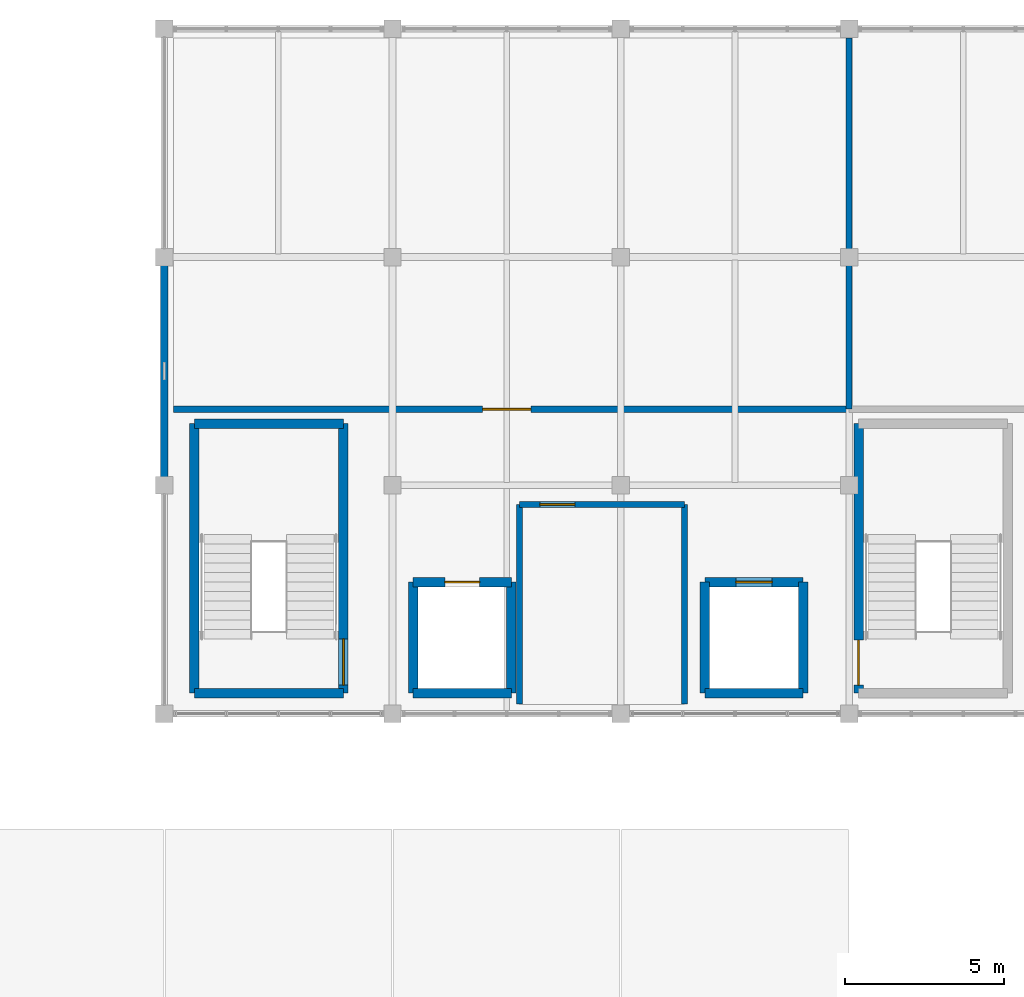
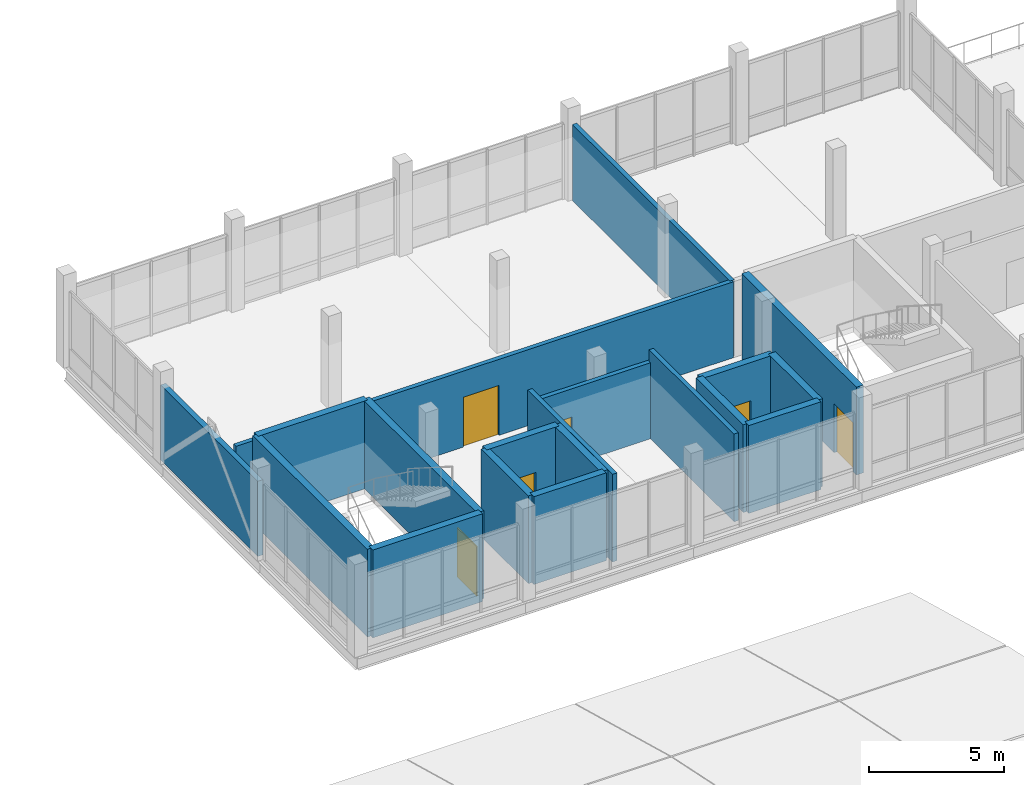
# One storey, part 39 of 47: 19 walls, 6 doors, 6 openings.
"""IFC4 building model written with IfcOpenShell, lengths in metres."""

from ifc_helpers import new_model, si_unit, direction, frame, frame_2d, origin, place, context, subcontext, project, spatial, rectangle, extrude, material, layer, layer_set, type_object, element, fill, save


model = new_model("IFC4")

# Units and contexts
model_context = context("Model", 3, precision=1e-05, world=origin(), true_north=direction((0.0, 1.0)))
body_context = subcontext(model_context, "Body", "Model", "MODEL_VIEW")
ifc_project = project(units=[si_unit("LENGTHUNIT", "METRE"), si_unit("AREAUNIT", "SQUARE_METRE"), si_unit("VOLUMEUNIT", "CUBIC_METRE"), si_unit("PLANEANGLEUNIT", "RADIAN"), si_unit("MASSUNIT", "GRAM", prefix="KILO")], contexts=[model_context])

# Site, building, storey
site_placement = place(None, origin())
site = spatial("IfcSite", under=ifc_project, at=site_placement, CompositionType="ELEMENT")
building_placement = place(site_placement, origin())
building = spatial("IfcBuilding", under=site, at=building_placement, Name="Yarey Park Central Fire Station", CompositionType="ELEMENT")
storey_placement = place(building_placement, frame((0.0, 0.0, 18.0)))
storey = spatial("IfcBuildingStorey", under=building, at=storey_placement, Name="L05", CompositionType="ELEMENT", Elevation=18.0)

# Walls
ifc_material_1 = material(Name="Concrete C35/45", Category="concrete")
ifc_layer_1 = layer(ifc_material_1, 0.22998046875)
ifc_layer_set_1 = layer_set([ifc_layer_1], Name="Concrete C35/45")
wall_type_1 = type_object("IfcWallType", Name="ENV_WALL_INS230", PredefinedType="STANDARD", material=ifc_layer_set_1)
wall_1_placement = place(storey_placement, frame((115.199951171875, 108.0, 0.0), z_axis=(0.0, 0.0, 1.0), x_axis=(0.0, -1.0, 0.0)))
element("IfcWall", 1, at=wall_1_placement, inside=storey, type_object=wall_type_1, Name="EW_L05_V4_WB", PredefinedType="STANDARD", context=body_context, shape_type="SweptSolid", body=[
    extrude(rectangle(XDim=7.199951171875, YDim=0.22998046875, at=frame_2d((3.60009765625, 0.0))), origin(), (0.0, 0.0, 1.0), 3.39990234375),
])
ifc_material_2 = material(Name="Concrete C40/50", Category="concrete")
ifc_layer_2 = layer(ifc_material_2, 0.27001953125)
ifc_layer_set_2 = layer_set([ifc_layer_2], Name="Concrete C40/50")
wall_type_2 = type_object("IfcWallType", Name="INT_CORE_RC270", PredefinedType="SHEAR", material=ifc_layer_set_2)
wall_2_placement = place(storey_placement, frame((123.050048828125, 94.25, 0.0), z_axis=(0.0, 0.0, 1.0), x_axis=(1.0, 0.0, 0.0)))
element("IfcWall", 2, at=wall_2_placement, inside=storey, type_object=wall_type_2, Name="LWALL_C1_L05_S", PredefinedType="SHEAR", context=body_context, shape_type="SweptSolid", body=[
    extrude(rectangle(XDim=3.099853515625, YDim=0.300048828125, at=frame_2d((1.5498046875, 0.0))), origin(), (0.0, 0.0, 1.0), 3.97509765625),
])

# Wall, opening, door
wall_3_placement = place(storey_placement, frame((126.14990234375, 97.75, 0.0), z_axis=(0.0, 0.0, 1.0), x_axis=(-1.0, 0.0, 0.0)))
wall_3 = element("IfcWall", 3, at=wall_3_placement, inside=storey, type_object=wall_type_2, Name="LWALL_C1_L05_N", PredefinedType="SHEAR", context=body_context, shape_type="SweptSolid", body=[
    extrude(rectangle(XDim=3.099853515625, YDim=0.300048828125, at=frame_2d((1.5498046875, 0.0))), origin(), (0.0, 0.0, 1.0), 3.97509765625),
])
opening_1_placement = place(wall_3_placement, frame((1.0, 0.0, 0.0)))
opening_1 = element("IfcOpeningElement", 4, at=opening_1_placement, cuts=wall_3, Name="Opening LD-11", PredefinedType="OPENING", context=body_context, shape_type="SweptSolid", body=[
    extrude(rectangle(XDim=1.10009765625, YDim=2.219970703125, at=frame_2d((0.550048828125, 1.10986328125))), frame((0.0, 0.159912109375, 0.0), z_axis=(0.0, -1.0, 0.0), x_axis=(1.0, 0.0, 0.0)), (0.0, 0.0, 1.0), 0.320068359375),
])
ifc_material_3 = material(Name="Stainless Steel AISI 316L", Category="steel")
door_type_1 = type_object("IfcDoorType", Name="DR_LD_1100", OperationType="NOTDEFINED", PredefinedType="DOOR", material=ifc_material_3)
door_1_placement = place(opening_1_placement, origin())
door_1 = element("IfcDoor", 5, at=door_1_placement, inside=storey, type_object=door_type_1, Name="Lift Landing Door LF-1-L05", OperationType="SLIDING_TO_LEFT", OverallHeight=2.219970703125, OverallWidth=1.10009765625, PredefinedType="DOOR", context=body_context, shape_type="SweptSolid", body=[
    extrude(rectangle(XDim=1.10009765625, YDim=2.219970703125, at=frame_2d((0.550048828125, 1.10986328125))), frame((0.0, 0.02490234375, 0.0), z_axis=(0.0, -1.0, 0.0), x_axis=(1.0, 0.0, 0.0)), (0.0, 0.0, 1.0), 0.050048828125),
])
fill(opening_1, door_1)

# Walls
for number, where, z_axis, x_axis, name in (
    (6, (123.050048828125, 97.75, 0.0), (0.0, 0.0, 1.0), (0.0, -1.0, 0.0), "LWALL_C1_L05_W"),
    (7, (126.14990234375, 94.25, 0.0), (0.0, 0.0, 1.0), (0.0, 1.0, 0.0), "LWALL_C1_L05_E"),
):
    element("IfcWall", number, at=place(storey_placement, frame(where, z_axis=z_axis, x_axis=x_axis)), inside=storey, type_object=wall_type_2, Name=name, PredefinedType="SHEAR", context=body_context, shape_type="SweptSolid", body=[
        extrude(rectangle(XDim=3.5, YDim=0.300048828125, at=frame_2d((1.75, 0.0))), origin(), (0.0, 0.0, 1.0), 3.97509765625),
    ])
wall_4_placement = place(storey_placement, frame((132.25, 94.25, 0.0), z_axis=(0.0, 0.0, 1.0), x_axis=(1.0, 0.0, 0.0)))
element("IfcWall", 8, at=wall_4_placement, inside=storey, type_object=wall_type_2, Name="LWALL_C2_L05_S", PredefinedType="SHEAR", context=body_context, shape_type="SweptSolid", body=[
    extrude(rectangle(XDim=3.10009765625, YDim=0.300048828125, at=frame_2d((1.550048828125, 0.0))), origin(), (0.0, 0.0, 1.0), 3.97509765625),
])

# Wall, opening, door
wall_5_placement = place(storey_placement, frame((135.35009765625, 97.75, 0.0), z_axis=(0.0, 0.0, 1.0), x_axis=(-1.0, 0.0, 0.0)))
wall_5 = element("IfcWall", 9, at=wall_5_placement, inside=storey, type_object=wall_type_2, Name="LWALL_C2_L05_N", PredefinedType="SHEAR", context=body_context, shape_type="SweptSolid", body=[
    extrude(rectangle(XDim=3.10009765625, YDim=0.300048828125, at=frame_2d((1.550048828125, 0.0))), origin(), (0.0, 0.0, 1.0), 3.97509765625),
])
opening_2_placement = place(wall_5_placement, frame((0.97998046875, 0.0, 0.0)))
opening_2 = element("IfcOpeningElement", 10, at=opening_2_placement, cuts=wall_5, Name="Opening LD-11B", PredefinedType="OPENING", context=body_context, shape_type="SweptSolid", body=[
    extrude(rectangle(XDim=1.139892578125, YDim=2.239990234375, at=frame_2d((0.56982421875, 1.1201171875))), frame((0.0, 0.159912109375, 0.0), z_axis=(0.0, -1.0, 0.0), x_axis=(1.0, 0.0, 0.0)), (0.0, 0.0, 1.0), 0.320068359375),
])
door_type_2 = type_object("IfcDoorType", Name="DR_LD_1140", OperationType="NOTDEFINED", PredefinedType="DOOR", material=ifc_material_3)
door_2_placement = place(opening_2_placement, origin())
door_2 = element("IfcDoor", 11, at=door_2_placement, inside=storey, type_object=door_type_2, Name="Lift Landing Door LF-2-L05", OperationType="SLIDING_TO_LEFT", OverallHeight=2.239990234375, OverallWidth=1.139892578125, PredefinedType="DOOR", context=body_context, shape_type="SweptSolid", body=[
    extrude(rectangle(XDim=1.139892578125, YDim=2.239990234375, at=frame_2d((0.56982421875, 1.1201171875))), frame((0.0, 0.02490234375, 0.0), z_axis=(0.0, -1.0, 0.0), x_axis=(1.0, 0.0, 0.0)), (0.0, 0.0, 1.0), 0.050048828125),
])
fill(opening_2, door_2)

# Walls
for number, where, z_axis, x_axis, name in (
    (12, (132.25, 97.75, 0.0), (0.0, 0.0, 1.0), (0.0, -1.0, 0.0), "LWALL_C2_L05_W"),
    (13, (135.35009765625, 94.25, 0.0), (0.0, 0.0, 1.0), (0.0, 1.0, 0.0), "LWALL_C2_L05_E"),
):
    element("IfcWall", number, at=place(storey_placement, frame(where, z_axis=z_axis, x_axis=x_axis)), inside=storey, type_object=wall_type_2, Name=name, PredefinedType="SHEAR", context=body_context, shape_type="SweptSolid", body=[
        extrude(rectangle(XDim=3.5, YDim=0.300048828125, at=frame_2d((1.75, 0.0))), origin(), (0.0, 0.0, 1.0), 3.97509765625),
    ])
ifc_layer_3 = layer(ifc_material_2, 0.300048828125)
ifc_layer_set_3 = layer_set([ifc_layer_3], Name="Concrete C40/50")
wall_type_3 = type_object("IfcWallType", Name="INT_CORE_RC300", PredefinedType="SHEAR", material=ifc_layer_set_3)
for number, where, z_axis, x_axis, name in (
    (14, (116.14990234375, 94.25, 0.0), (0.0, 0.0, 1.0), (1.0, 0.0, 0.0), "CWALL_C1_L05_S"),
    (15, (120.85009765625, 102.75, 0.0), (0.0, 0.0, 1.0), (-1.0, 0.0, 0.0), "CWALL_C1_L05_N"),
):
    element("IfcWall", number, at=place(storey_placement, frame(where, z_axis=z_axis, x_axis=x_axis)), inside=storey, type_object=wall_type_3, Name=name, PredefinedType="SHEAR", context=body_context, shape_type="SweptSolid", body=[
        extrude(rectangle(XDim=4.7001953125, YDim=0.300048828125, at=frame_2d((2.35009765625, 0.0))), origin(), (0.0, 0.0, 1.0), 3.97509765625),
    ])
wall_6_placement = place(storey_placement, frame((116.14990234375, 102.75, 0.0), z_axis=(0.0, 0.0, 1.0), x_axis=(0.0, -1.0, 0.0)))
element("IfcWall", 16, at=wall_6_placement, inside=storey, type_object=wall_type_3, Name="CWALL_C1_L05_W", PredefinedType="SHEAR", context=body_context, shape_type="SweptSolid", body=[
    extrude(rectangle(XDim=8.5, YDim=0.300048828125, at=frame_2d((4.25, 0.0))), origin(), (0.0, 0.0, 1.0), 3.97509765625),
])

# Wall, opening, door
wall_7_placement = place(storey_placement, frame((120.85009765625, 94.25, 0.0), z_axis=(0.0, 0.0, 1.0), x_axis=(0.0, 1.0, 0.0)))
wall_7 = element("IfcWall", 17, at=wall_7_placement, inside=storey, type_object=wall_type_3, Name="CWALL_C1_L05_E", PredefinedType="SHEAR", context=body_context, shape_type="SweptSolid", body=[
    extrude(rectangle(XDim=8.5, YDim=0.300048828125, at=frame_2d((4.25, 0.0))), origin(), (0.0, 0.0, 1.0), 3.97509765625),
])
opening_3_placement = place(wall_7_placement, frame((0.25, 0.0, 0.0)))
opening_3 = element("IfcOpeningElement", 18, at=opening_3_placement, cuts=wall_7, Name="Opening SD-146", PredefinedType="OPENING", context=body_context, shape_type="SweptSolid", body=[
    extrude(rectangle(XDim=1.4599609375, YDim=2.239990234375, at=frame_2d((0.72998046875, 1.1201171875))), frame((0.0, 0.159912109375, 0.0), z_axis=(0.0, -1.0, 0.0), x_axis=(1.0, 0.0, 0.0)), (0.0, 0.0, 1.0), 0.320068359375),
])
ifc_material_4 = material(Name="Galvanized Hollow Metal Door", Category="metal")
door_type_3 = type_object("IfcDoorType", Name="DR_STAIR_1460", OperationType="NOTDEFINED", PredefinedType="DOOR", material=ifc_material_4)
door_3_placement = place(opening_3_placement, origin())
door_3 = element("IfcDoor", 19, at=door_3_placement, inside=storey, type_object=door_type_3, Name="DOOR_STAIR_C1_L05", OperationType="SINGLE_SWING_LEFT", OverallHeight=2.239990234375, OverallWidth=1.4599609375, PredefinedType="DOOR", context=body_context, shape_type="SweptSolid", body=[
    extrude(rectangle(XDim=1.4599609375, YDim=2.239990234375, at=frame_2d((0.72998046875, 1.1201171875))), frame((0.0, 0.02490234375, 0.0), z_axis=(0.0, -1.0, 0.0), x_axis=(1.0, 0.0, 0.0)), (0.0, 0.0, 1.0), 0.050048828125),
])
fill(opening_3, door_3)

wall_8_placement = place(storey_placement, frame((137.10009765625, 102.75, 0.0), z_axis=(0.0, 0.0, 1.0), x_axis=(0.0, -1.0, 0.0)))
wall_8 = element("IfcWall", 20, at=wall_8_placement, inside=storey, type_object=wall_type_3, Name="CWALL_C2_L05_W", PredefinedType="SHEAR", context=body_context, shape_type="SweptSolid", body=[
    extrude(rectangle(XDim=8.5, YDim=0.300048828125, at=frame_2d((4.25, 0.0))), origin(), (0.0, 0.0, 1.0), 3.97509765625),
])
opening_4_placement = place(wall_8_placement, frame((6.830078125, 0.0, 0.0)))
opening_4 = element("IfcOpeningElement", 21, at=opening_4_placement, cuts=wall_8, Name="Opening SD-142", PredefinedType="OPENING", context=body_context, shape_type="SweptSolid", body=[
    extrude(rectangle(XDim=1.419921875, YDim=2.219970703125, at=frame_2d((0.7099609375, 1.10986328125))), frame((0.0, 0.159912109375, 0.0), z_axis=(0.0, -1.0, 0.0), x_axis=(1.0, 0.0, 0.0)), (0.0, 0.0, 1.0), 0.320068359375),
])
door_type_4 = type_object("IfcDoorType", Name="DR_STAIR_1420", OperationType="NOTDEFINED", PredefinedType="DOOR", material=ifc_material_4)
door_4_placement = place(opening_4_placement, origin())
door_4 = element("IfcDoor", 22, at=door_4_placement, inside=storey, type_object=door_type_4, Name="DOOR_STAIR_C2_L05", OperationType="SINGLE_SWING_LEFT", OverallHeight=2.219970703125, OverallWidth=1.419921875, PredefinedType="DOOR", context=body_context, shape_type="SweptSolid", body=[
    extrude(rectangle(XDim=1.419921875, YDim=2.219970703125, at=frame_2d((0.7099609375, 1.10986328125))), frame((0.0, 0.02490234375, 0.0), z_axis=(0.0, -1.0, 0.0), x_axis=(1.0, 0.0, 0.0)), (0.0, 0.0, 1.0), 0.050048828125),
])
fill(opening_4, door_4)

ifc_layer_4 = layer(ifc_material_1, 0.18994140625)
ifc_layer_set_4 = layer_set([ifc_layer_4], Name="Concrete C35/45")
wall_type_4 = type_object("IfcWallType", Name="INT_WALL_CMU190", PredefinedType="STANDARD", material=ifc_layer_set_4)
wall_9_placement = place(storey_placement, frame((131.60009765625, 100.199951171875, 0.0), z_axis=(0.0, 0.0, 1.0), x_axis=(-1.0, 0.0, 0.0)))
wall_9 = element("IfcWall", 23, at=wall_9_placement, inside=storey, type_object=wall_type_4, Name="PART_SPC_L05_CRISIS_NORTH", PredefinedType="STANDARD", context=body_context, shape_type="SweptSolid", body=[
    extrude(rectangle(XDim=5.2001953125, YDim=0.18994140625, at=frame_2d((2.60009765625, 0.0))), origin(), (0.0, 0.0, 1.0), 3.44189453125),
])
opening_5_placement = place(wall_9_placement, frame((3.449951171875, 0.0, 0.0)))
opening_5 = element("IfcOpeningElement", 24, at=opening_5_placement, cuts=wall_9, Name="Opening FD-110", PredefinedType="OPENING", context=body_context, shape_type="SweptSolid", body=[
    extrude(rectangle(XDim=1.10009765625, YDim=2.159912109375, at=frame_2d((0.550048828125, 1.080078125))), frame((0.0, 0.10498046875, 0.0), z_axis=(0.0, -1.0, 0.0), x_axis=(1.0, 0.0, 0.0)), (0.0, 0.0, 1.0), 0.2099609375),
])
door_type_5 = type_object("IfcDoorType", Name="DR_FD_1100", OperationType="NOTDEFINED", PredefinedType="DOOR", material=ifc_material_4)
door_5_placement = place(opening_5_placement, origin())
door_5 = element("IfcDoor", 25, at=door_5_placement, inside=storey, type_object=door_type_5, Name="DOOR_SPC_L05_CRISIS", OperationType="SINGLE_SWING_RIGHT", OverallHeight=2.159912109375, OverallWidth=1.10009765625, PredefinedType="DOOR", context=body_context, shape_type="SweptSolid", body=[
    extrude(rectangle(XDim=1.10009765625, YDim=2.159912109375, at=frame_2d((0.550048828125, 1.080078125))), frame((0.0, 0.02490234375, 0.0), z_axis=(0.0, -1.0, 0.0), x_axis=(1.0, 0.0, 0.0)), (0.0, 0.0, 1.0), 0.050048828125),
])
fill(opening_5, door_5)

# Walls
for number, where, z_axis, x_axis, name in (
    (26, (126.39990234375, 100.199951171875, 0.0), (0.0, 0.0, 1.0), (0.0, -1.0, 0.0), "PART_SPC_L05_CRISIS_WEST"),
    (27, (131.60009765625, 93.89990234375, 0.0), (0.0, 0.0, 1.0), (0.0, 1.0, 0.0), "PART_SPC_L05_CRISIS_EAST"),
):
    element("IfcWall", number, at=place(storey_placement, frame(where, z_axis=z_axis, x_axis=x_axis)), inside=storey, type_object=wall_type_4, Name=name, PredefinedType="STANDARD", context=body_context, shape_type="SweptSolid", body=[
        extrude(rectangle(XDim=6.300048828125, YDim=0.18994140625, at=frame_2d((3.14990234375, 0.0))), origin(), (0.0, 0.0, 1.0), 3.97509765625),
    ])

# Wall, opening, door
wall_10_placement = place(storey_placement, frame((115.5, 103.199951171875, 0.0), z_axis=(0.0, 0.0, 1.0), x_axis=(1.0, 0.0, 0.0)))
wall_10 = element("IfcWall", 28, at=wall_10_placement, inside=storey, type_object=wall_type_4, Name="PART_SPC_L05_DISPATCH_SOUTH", PredefinedType="STANDARD", context=body_context, shape_type="SweptSolid", body=[
    extrude(rectangle(XDim=21.300048828125, YDim=0.18994140625, at=frame_2d((10.64990234375, 0.0))), origin(), (0.0, 0.0, 1.0), 3.44189453125),
])
opening_6_placement = place(wall_10_placement, frame((9.739990234375, 0.0, 0.0)))
opening_6 = element("IfcOpeningElement", 29, at=opening_6_placement, cuts=wall_10, Name="Opening FD-152", PredefinedType="OPENING", context=body_context, shape_type="SweptSolid", body=[
    extrude(rectangle(XDim=1.52001953125, YDim=2.260009765625, at=frame_2d((0.760009765625, 1.1298828125))), frame((0.0, 0.10498046875, 0.0), z_axis=(0.0, -1.0, 0.0), x_axis=(1.0, 0.0, 0.0)), (0.0, 0.0, 1.0), 0.2099609375),
])
door_type_6 = type_object("IfcDoorType", Name="DR_FD_1520", OperationType="NOTDEFINED", PredefinedType="DOOR", material=ifc_material_4)
door_6_placement = place(opening_6_placement, origin())
door_6 = element("IfcDoor", 30, at=door_6_placement, inside=storey, type_object=door_type_6, Name="DOOR_SPC_L05_DISPATCH", OperationType="SINGLE_SWING_LEFT", OverallHeight=2.260009765625, OverallWidth=1.52001953125, PredefinedType="DOOR", context=body_context, shape_type="SweptSolid", body=[
    extrude(rectangle(XDim=1.52001953125, YDim=2.260009765625, at=frame_2d((0.760009765625, 1.1298828125))), frame((0.0, 0.02490234375, 0.0), z_axis=(0.0, -1.0, 0.0), x_axis=(1.0, 0.0, 0.0)), (0.0, 0.0, 1.0), 0.050048828125),
])
fill(opening_6, door_6)

# Wall
wall_11_placement = place(storey_placement, frame((136.800048828125, 103.199951171875, 0.0), z_axis=(0.0, 0.0, 1.0), x_axis=(0.0, 1.0, 0.0)))
element("IfcWall", 31, at=wall_11_placement, inside=storey, type_object=wall_type_4, Name="PART_SPC_L05_DISPATCH_EAST", PredefinedType="STANDARD", context=body_context, shape_type="SweptSolid", body=[
    extrude(rectangle(XDim=11.699951171875, YDim=0.18994140625, at=frame_2d((5.85009765625, 0.0))), origin(), (0.0, 0.0, 1.0), 3.44189453125),
])

save(model, "model.ifc")
